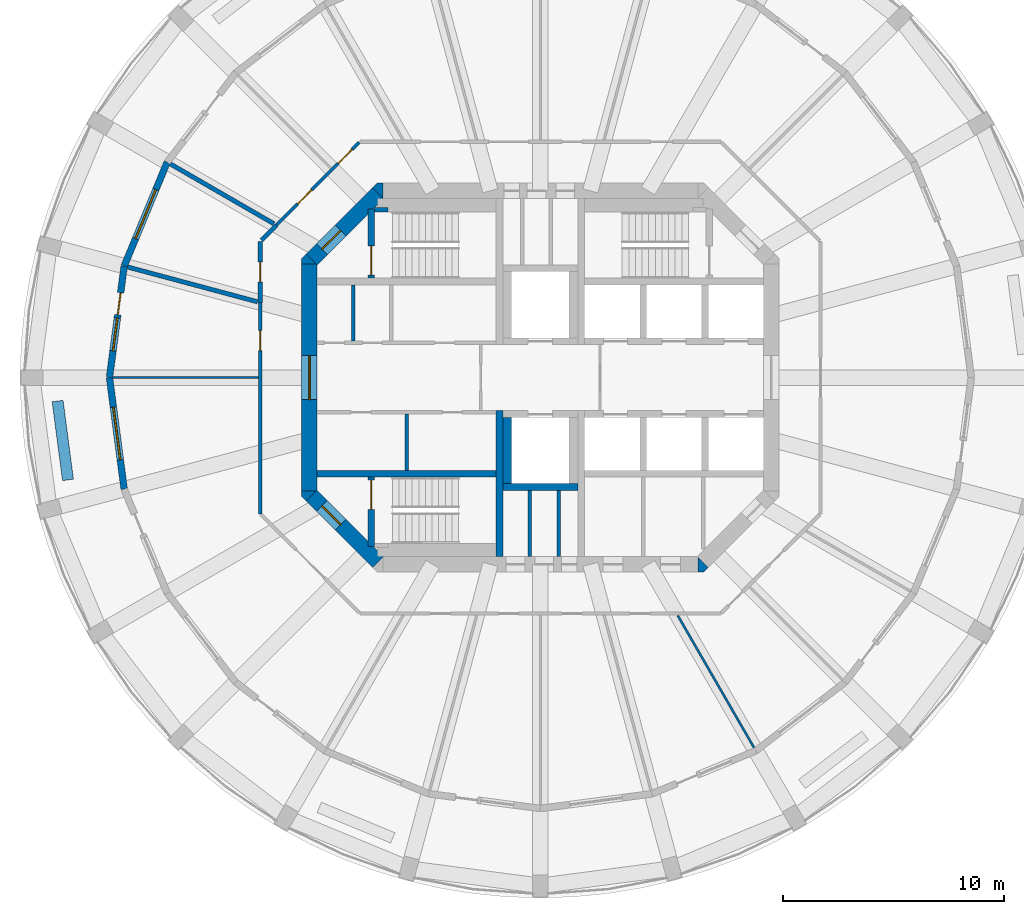
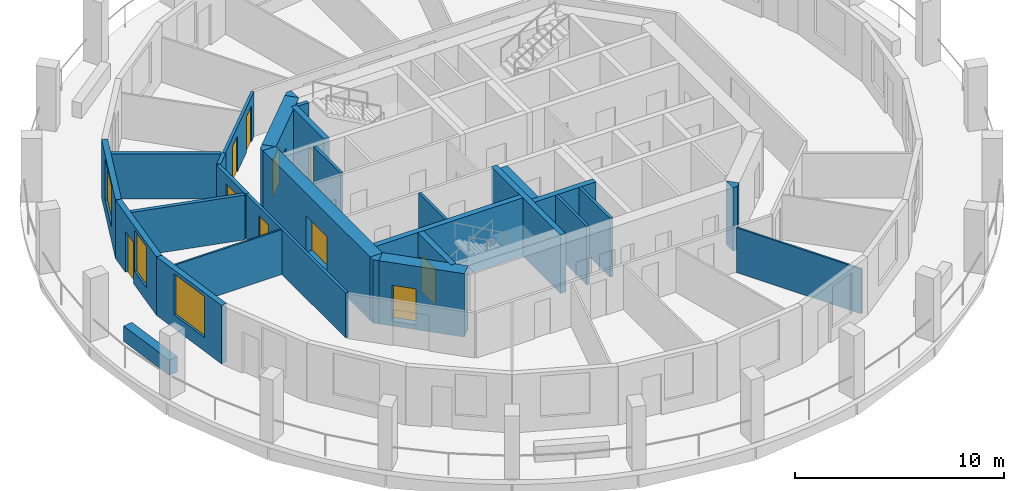
# One storey, part 3 of 8: 30 walls, 10 doors, 3 windows, 13 openings.
"""IFC4 building model written with IfcOpenShell, lengths in metres."""

from ifc_helpers import new_model, si_unit, direction, frame, frame_2d, origin, place, context, subcontext, project, spatial, polyline, rectangle, outline, extrude, material, layer, layer_set, type_object, element, fill, save


model = new_model("IFC4")

# Units and contexts
model_context = context("Model", 3, precision=1e-05, world=origin(), true_north=direction((0.0, 1.0)))
body_context = subcontext(model_context, "Body", "Model", "MODEL_VIEW")
ifc_project = project(units=[si_unit("LENGTHUNIT", "METRE"), si_unit("AREAUNIT", "SQUARE_METRE"), si_unit("VOLUMEUNIT", "CUBIC_METRE"), si_unit("PLANEANGLEUNIT", "RADIAN"), si_unit("MASSUNIT", "GRAM", prefix="KILO")], contexts=[model_context])

# Site, building, storey
site_placement = place(None, origin())
site = spatial("IfcSite", under=ifc_project, at=site_placement, CompositionType="ELEMENT")
building_placement = place(site_placement, origin())
building = spatial("IfcBuilding", under=site, at=building_placement, Name="Torre Triforio", CompositionType="ELEMENT")
storey_placement = place(building_placement, frame((0.0, 0.0, 203.89990234375)))
storey = spatial("IfcBuildingStorey", under=building, at=storey_placement, Name="L46", CompositionType="ELEMENT", Elevation=203.89990234375)

# Wall
ifc_material_1 = material(Name="Concrete C50", Category="concrete")
ifc_layer_1 = layer(ifc_material_1, 0.300048828125)
ifc_layer_set_1 = layer_set([ifc_layer_1], Name="Concrete C50")
wall_type_1 = type_object("IfcWallType", Name="Core wall 300 mm C50 EI 120", PredefinedType="SHEAR", material=ifc_layer_set_1)
wall_1_placement = place(storey_placement, frame((-1.85009765625, -8.10009765625, 0.0), z_axis=(0.0, 0.0, 1.0), x_axis=(0.0, 1.0, 0.0)))
element("IfcWall", 1, at=wall_1_placement, inside=storey, type_object=wall_type_1, Name="Core wall", PredefinedType="SHEAR", context=body_context, shape_type="SweptSolid", body=[
    extrude(rectangle(XDim=6.60009765625, YDim=0.300048828125, at=frame_2d((3.300048828125, 0.0))), origin(), (0.0, 0.0, 1.0), 3.420166015625),
])

# Wall, opening, door
ifc_layer_2 = layer(ifc_material_1, 0.699951171875)
ifc_layer_set_2 = layer_set([ifc_layer_2], Name="Concrete C50")
wall_type_2 = type_object("IfcWallType", Name="Core wall 700 mm C50 EI 120", PredefinedType="SHEAR", material=ifc_layer_set_2)
wall_2_placement = place(storey_placement, frame((-10.449951171875, -5.1298828125, -0.27978515625), z_axis=(0.0, 0.0, 1.0), x_axis=(0.0, 1.0, 0.0)))
wall_2 = element("IfcWall", 2, at=wall_2_placement, inside=storey, type_object=wall_type_2, Name="Core wall", PredefinedType="SHEAR", context=body_context, shape_type="SweptSolid", body=[
    extrude(rectangle(XDim=10.259765625, YDim=0.699951171875, at=frame_2d((5.1298828125, 0.0))), origin(), (0.0, 0.0, 1.0), 3.699951171875),
])
opening_1_placement = place(wall_2_placement, frame((4.1298828125, 0.0, 0.280029296875)))
opening_1 = element("IfcOpeningElement", 3, at=opening_1_placement, cuts=wall_2, Name="Opening W-RING", PredefinedType="OPENING", context=body_context, shape_type="SweptSolid", body=[
    extrude(rectangle(XDim=2.0, YDim=2.10009765625, at=frame_2d((1.0, 1.050048828125))), frame((0.0, 0.35986328125, 0.0), z_axis=(0.0, -1.0, 0.0), x_axis=(1.0, 0.0, 0.0)), (0.0, 0.0, 1.0), 0.719970703125),
])
ifc_material_2 = material(Name="Hollow metal fire door leaf")
door_type_1 = type_object("IfcDoorType", Name="Lobby door 2000 x 2100 EI 60", OperationType="DOUBLE_DOOR_SINGLE_SWING", PredefinedType="DOOR", material=ifc_material_2)
door_1_placement = place(opening_1_placement, origin())
door_1 = element("IfcDoor", 4, at=door_1_placement, inside=storey, type_object=door_type_1, Name="Core door W-RING", OperationType="DOUBLE_DOOR_SINGLE_SWING", OverallHeight=2.10009765625, OverallWidth=2.0, PredefinedType="DOOR", context=body_context, shape_type="SweptSolid", body=[
    extrude(rectangle(XDim=2.0, YDim=2.10009765625, at=frame_2d((1.0, 1.050048828125))), frame((0.0, 0.02490234375, 0.0), z_axis=(0.0, -1.0, 0.0), x_axis=(1.0, 0.0, 0.0)), (0.0, 0.0, 1.0), 0.050048828125),
])
fill(opening_1, door_1)

wall_3_placement = place(storey_placement, frame((-10.347412109375, 5.347412109375, -0.27978515625), z_axis=(0.0, 0.0, 1.0), x_axis=(0.707106781187, 0.707106781187, 0.0)))
wall_3 = element("IfcWall", 5, at=wall_3_placement, inside=storey, type_object=wall_type_2, Name="Core wall", PredefinedType="SHEAR", context=body_context, shape_type="SweptSolid", body=[
    extrude(rectangle(XDim=4.24267578125, YDim=0.699951171875, at=frame_2d((2.121337890625, 0.0))), origin(), (0.0, 0.0, 1.0), 3.699951171875),
])
opening_2_placement = place(wall_3_placement, frame((0.64990234375, 0.0, 0.280029296875)))
opening_2 = element("IfcOpeningElement", 6, at=opening_2_placement, cuts=wall_3, Name="Opening ST1-EXIT", PredefinedType="OPENING", context=body_context, shape_type="SweptSolid", body=[
    extrude(rectangle(XDim=1.199951171875, YDim=2.10009765625, at=frame_2d((0.60009765625, 1.050048828125))), frame((0.0, 0.35986328125, 0.0), z_axis=(0.0, -1.0, 0.0), x_axis=(1.0, 0.0, 0.0)), (0.0, 0.0, 1.0), 0.719970703125),
])
door_type_2 = type_object("IfcDoorType", Name="Stair lobby door 1200 x 2100 EI 60", OperationType="NOTDEFINED", PredefinedType="DOOR", material=ifc_material_2)
door_2_placement = place(opening_2_placement, origin())
door_2 = element("IfcDoor", 7, at=door_2_placement, inside=storey, type_object=door_type_2, Name="Core door ST1-EXIT", OperationType="SINGLE_SWING_RIGHT", OverallHeight=2.10009765625, OverallWidth=1.199951171875, PredefinedType="DOOR", context=body_context, shape_type="SweptSolid", body=[
    extrude(rectangle(XDim=1.199951171875, YDim=2.10009765625, at=frame_2d((0.60009765625, 1.050048828125))), frame((0.0, 0.02490234375, 0.0), z_axis=(0.0, -1.0, 0.0), x_axis=(1.0, 0.0, 0.0)), (0.0, 0.0, 1.0), 0.050048828125),
])
fill(opening_2, door_2)

wall_4_placement = place(storey_placement, frame((-7.347412109375, -8.347412109375, -0.27978515625), z_axis=(0.0, 0.0, 1.0), x_axis=(-0.707106781187, 0.707106781187, 0.0)))
wall_4 = element("IfcWall", 8, at=wall_4_placement, inside=storey, type_object=wall_type_2, Name="Core wall", PredefinedType="SHEAR", context=body_context, shape_type="SweptSolid", body=[
    extrude(rectangle(XDim=4.24267578125, YDim=0.699951171875, at=frame_2d((2.121337890625, 0.0))), origin(), (0.0, 0.0, 1.0), 3.699951171875),
])
opening_3_placement = place(wall_4_placement, frame((2.392578125, 0.0, 0.280029296875)))
opening_3 = element("IfcOpeningElement", 9, at=opening_3_placement, cuts=wall_4, Name="Opening ST3-EXIT", PredefinedType="OPENING", context=body_context, shape_type="SweptSolid", body=[
    extrude(rectangle(XDim=1.199951171875, YDim=2.10009765625, at=frame_2d((0.60009765625, 1.050048828125))), frame((0.0, 0.35986328125, 0.0), z_axis=(0.0, -1.0, 0.0), x_axis=(1.0, 0.0, 0.0)), (0.0, 0.0, 1.0), 0.719970703125),
])
door_3_placement = place(opening_3_placement, origin())
door_3 = element("IfcDoor", 10, at=door_3_placement, inside=storey, type_object=door_type_2, Name="Core door ST3-EXIT", OperationType="SINGLE_SWING_RIGHT", OverallHeight=2.10009765625, OverallWidth=1.199951171875, PredefinedType="DOOR", context=body_context, shape_type="SweptSolid", body=[
    extrude(rectangle(XDim=1.199951171875, YDim=2.10009765625, at=frame_2d((0.60009765625, 1.050048828125))), frame((0.0, 0.02490234375, 0.0), z_axis=(0.0, -1.0, 0.0), x_axis=(1.0, 0.0, 0.0)), (0.0, 0.0, 1.0), 0.050048828125),
])
fill(opening_3, door_3)

# Walls
wall_5_placement = place(storey_placement, frame((0.0, 0.0, -0.27978515625)))
element("IfcWall", 11, at=wall_5_placement, inside=storey, type_object=wall_type_2, Name="Core wall", PredefinedType="SHEAR", context=body_context, shape_type="SweptSolid", body=[
    extrude(outline(polyline([(7.389892578125, -8.800048828125), (7.1298828125, -8.800048828125), (7.1298828125, -8.800048828125), (7.1298828125, -8.1298828125), (7.594970703125, -8.594970703125), (7.594970703125, -8.594970703125), (7.594970703125, -8.594970703125), (7.389892578125, -8.800048828125)])), origin(), (0.0, 0.0, 1.0), 3.699951171875),
])
wall_6_placement = place(storey_placement, frame((0.0, 0.0, -0.27978515625)))
element("IfcWall", 12, at=wall_6_placement, inside=storey, type_object=wall_type_2, Name="Core wall", PredefinedType="SHEAR", context=body_context, shape_type="SweptSolid", body=[
    extrude(outline(polyline([(-10.800048828125, -5.389892578125), (-10.800048828125, -5.1298828125), (-10.800048828125, -5.1298828125), (-10.1298828125, -5.1298828125), (-10.594970703125, -5.594970703125), (-10.594970703125, -5.594970703125), (-10.594970703125, -5.594970703125), (-10.800048828125, -5.389892578125)])), origin(), (0.0, 0.0, 1.0), 3.699951171875),
])
wall_7_placement = place(storey_placement, frame((0.0, 0.0, -0.27978515625)))
element("IfcWall", 13, at=wall_7_placement, inside=storey, type_object=wall_type_2, Name="Core wall", PredefinedType="SHEAR", context=body_context, shape_type="SweptSolid", body=[
    extrude(outline(polyline([(-10.594970703125, 5.594970703125), (-10.594970703125, 5.594970703125), (-10.594970703125, 5.594970703125), (-10.1298828125, 5.1298828125), (-10.800048828125, 5.1298828125), (-10.800048828125, 5.1298828125), (-10.800048828125, 5.389892578125), (-10.594970703125, 5.594970703125)])), origin(), (0.0, 0.0, 1.0), 3.699951171875),
])
wall_8_placement = place(storey_placement, frame((0.0, 0.0, -0.27978515625)))
element("IfcWall", 14, at=wall_8_placement, inside=storey, type_object=wall_type_2, Name="Core wall", PredefinedType="SHEAR", context=body_context, shape_type="SweptSolid", body=[
    extrude(outline(polyline([(-7.389892578125, 8.800048828125), (-7.1298828125, 8.800048828125), (-7.1298828125, 8.800048828125), (-7.1298828125, 8.1298828125), (-7.594970703125, 8.594970703125), (-7.594970703125, 8.594970703125), (-7.594970703125, 8.594970703125), (-7.389892578125, 8.800048828125)])), origin(), (0.0, 0.0, 1.0), 3.699951171875),
])

# Wall, opening, door
ifc_material_3 = material(Name="Plasterboard on metal studs")
ifc_layer_3 = layer(ifc_material_3, 0.14990234375)
ifc_layer_set_3 = layer_set([ifc_layer_3], Name="Plasterboard on metal studs")
wall_type_3 = type_object("IfcWallType", Name="Corridor and tenancy wall 150 mm EI 60", PredefinedType="PARTITIONING", material=ifc_layer_set_3)
wall_9_placement = place(storey_placement, frame((-12.675048828125, -6.16650390625, 0.0), z_axis=(0.0, 0.0, 1.0), x_axis=(0.0, 1.0, 0.0)))
wall_9 = element("IfcWall", 15, at=wall_9_placement, inside=storey, type_object=wall_type_3, Name="Partition 4", PredefinedType="PARTITIONING", context=body_context, shape_type="SweptSolid", body=[
    extrude(rectangle(XDim=9.562744140625, YDim=0.14990234375, at=frame_2d((4.78125, 0.0))), origin(), (0.0, 0.0, 1.0), 2.6201171875),
])
opening_4_placement = place(wall_9_placement, frame((7.3896484375, 0.0, 0.0)))
opening_4 = element("IfcOpeningElement", 16, at=opening_4_placement, cuts=wall_9, Name="Opening O5-16", PredefinedType="OPENING", context=body_context, shape_type="SweptSolid", body=[
    extrude(rectangle(XDim=0.89990234375, YDim=2.10009765625, at=frame_2d((0.449951171875, 1.050048828125))), frame((0.0, 0.0849609375, 0.0), z_axis=(0.0, -1.0, 0.0), x_axis=(1.0, 0.0, 0.0)), (0.0, 0.0, 1.0), 0.169921875),
])
ifc_material_4 = material(Name="Timber", Category="wood")
door_type_3 = type_object("IfcDoorType", Name="Door 900 x 2100 single leaf EI 30", OperationType="NOTDEFINED", PredefinedType="DOOR", material=ifc_material_4)
door_4_placement = place(opening_4_placement, origin())
door_4 = element("IfcDoor", 17, at=door_4_placement, inside=storey, type_object=door_type_3, Name="Door O5-16", OperationType="SINGLE_SWING_LEFT", OverallHeight=2.10009765625, OverallWidth=0.89990234375, PredefinedType="DOOR", context=body_context, shape_type="SweptSolid", body=[
    extrude(rectangle(XDim=0.89990234375, YDim=2.10009765625, at=frame_2d((0.449951171875, 1.050048828125))), frame((0.0, 0.02490234375, 0.0), z_axis=(0.0, -1.0, 0.0), x_axis=(1.0, 0.0, 0.0)), (0.0, 0.0, 1.0), 0.050048828125),
])
fill(opening_4, door_4)

# Wall, openings, doors
wall_10_placement = place(storey_placement, frame((-11.945068359375, 6.896484375, 0.0), z_axis=(0.0, 0.0, 1.0), x_axis=(0.707106781187, 0.707106781187, 0.0)))
wall_10 = element("IfcWall", 18, at=wall_10_placement, inside=storey, type_object=wall_type_3, Name="Partition 7", PredefinedType="PARTITIONING", context=body_context, shape_type="SweptSolid", body=[
    extrude(rectangle(XDim=5.291259765625, YDim=0.14990234375, at=frame_2d((2.6455078125, 0.0))), origin(), (0.0, 0.0, 1.0), 2.6201171875),
])
opening_5_placement = place(wall_10_placement, frame((3.95556640625, 0.0, 0.0)))
opening_5 = element("IfcOpeningElement", 19, at=opening_5_placement, cuts=wall_10, Name="Opening O5-13", PredefinedType="OPENING", context=body_context, shape_type="SweptSolid", body=[
    extrude(rectangle(XDim=0.89990234375, YDim=2.10009765625, at=frame_2d((0.449951171875, 1.050048828125))), frame((0.0, 0.0849609375, 0.0), z_axis=(0.0, -1.0, 0.0), x_axis=(1.0, 0.0, 0.0)), (0.0, 0.0, 1.0), 0.169921875),
])
opening_6_placement = place(wall_10_placement, frame((1.35986328125, 0.0, 0.0)))
opening_6 = element("IfcOpeningElement", 20, at=opening_6_placement, cuts=wall_10, Name="Opening O5-14", PredefinedType="OPENING", context=body_context, shape_type="SweptSolid", body=[
    extrude(rectangle(XDim=0.89990234375, YDim=2.10009765625, at=frame_2d((0.449951171875, 1.050048828125))), frame((0.0, 0.0849609375, 0.0), z_axis=(0.0, -1.0, 0.0), x_axis=(1.0, 0.0, 0.0)), (0.0, 0.0, 1.0), 0.169921875),
])
door_5_placement = place(opening_5_placement, origin())
door_5 = element("IfcDoor", 21, at=door_5_placement, inside=storey, type_object=door_type_3, Name="Door O5-13", OperationType="SINGLE_SWING_LEFT", OverallHeight=2.10009765625, OverallWidth=0.89990234375, PredefinedType="DOOR", context=body_context, shape_type="SweptSolid", body=[
    extrude(rectangle(XDim=0.89990234375, YDim=2.10009765625, at=frame_2d((0.449951171875, 1.050048828125))), frame((0.0, 0.02490234375, 0.0), z_axis=(0.0, -1.0, 0.0), x_axis=(1.0, 0.0, 0.0)), (0.0, 0.0, 1.0), 0.050048828125),
])
fill(opening_5, door_5)
door_6_placement = place(opening_6_placement, origin())
door_6 = element("IfcDoor", 22, at=door_6_placement, inside=storey, type_object=door_type_3, Name="Door O5-14", OperationType="SINGLE_SWING_RIGHT", OverallHeight=2.10009765625, OverallWidth=0.89990234375, PredefinedType="DOOR", context=body_context, shape_type="SweptSolid", body=[
    extrude(rectangle(XDim=0.89990234375, YDim=2.10009765625, at=frame_2d((0.449951171875, 1.050048828125))), frame((0.0, 0.02490234375, 0.0), z_axis=(0.0, -1.0, 0.0), x_axis=(1.0, 0.0, 0.0)), (0.0, 0.0, 1.0), 0.050048828125),
])
fill(opening_6, door_6)

# Walls
ifc_layer_4 = layer(ifc_material_3, 0.10009765625)
ifc_layer_set_4 = layer_set([ifc_layer_4], Name="Plasterboard on metal studs")
wall_type_4 = type_object("IfcWallType", Name="Partition 100 mm board on metal studs", PredefinedType="PARTITIONING", material=ifc_layer_set_4)
wall_11_placement = place(storey_placement, frame((-12.75, 0.0, 0.0), z_axis=(0.0, 0.0, 1.0), x_axis=(-1.0, 0.0, 0.0)))
element("IfcWall", 23, at=wall_11_placement, inside=storey, type_object=wall_type_4, Name="Partition 19", PredefinedType="PARTITIONING", context=body_context, shape_type="SweptSolid", body=[
    extrude(rectangle(XDim=6.586669921875, YDim=0.10009765625, at=frame_2d((3.29345703125, 0.0))), origin(), (0.0, 0.0, 1.0), 2.6201171875),
])
wall_12_placement = place(storey_placement, frame((6.220703125, -10.774658203125, 0.0), z_axis=(0.0, 0.0, 1.0), x_axis=(0.500015661236, -0.866016361577, 0.0)))
element("IfcWall", 24, at=wall_12_placement, inside=storey, type_object=wall_type_4, Name="Partition 24", PredefinedType="PARTITIONING", context=body_context, shape_type="SweptSolid", body=[
    extrude(rectangle(XDim=6.895263671875, YDim=0.10009765625, at=frame_2d((3.44775390625, 0.0))), origin(), (0.0, 0.0, 1.0), 2.6201171875),
])
ifc_material_5 = material(Name="Block and board partition")
ifc_layer_5 = layer(ifc_material_5, 0.14990234375)
ifc_layer_set_5 = layer_set([ifc_layer_5], Name="Block and board partition")
wall_type_5 = type_object("IfcWallType", Name="Partition 150 mm", PredefinedType="PARTITIONING", material=ifc_layer_set_5)
wall_13_placement = place(storey_placement, frame((-0.47509765625, -8.10009765625, 0.0), z_axis=(0.0, 0.0, 1.0), x_axis=(0.0, 1.0, 0.0)))
element("IfcWall", 25, at=wall_13_placement, inside=storey, type_object=wall_type_5, Name="Partition", PredefinedType="PARTITIONING", context=body_context, shape_type="SweptSolid", body=[
    extrude(rectangle(XDim=3.0, YDim=0.14990234375, at=frame_2d((1.5, 0.0))), origin(), (0.0, 0.0, 1.0), 3.420166015625),
])
for number, where, z_axis, x_axis, name in (
    (26, (-8.465087890625, 1.64990234375, 0.0), (0.0, 0.0, 1.0), (0.0, 1.0, 0.0), "Partition"),
    (27, (-6.050048828125, -4.199951171875, 0.0), (0.0, 0.0, 1.0), (0.0, 1.0, 0.0), "Partition"),
):
    element("IfcWall", number, at=place(storey_placement, frame(where, z_axis=z_axis, x_axis=x_axis)), inside=storey, type_object=wall_type_5, Name=name, PredefinedType="PARTITIONING", context=body_context, shape_type="SweptSolid", body=[
        extrude(rectangle(XDim=2.550048828125, YDim=0.14990234375, at=frame_2d((1.27490234375, 0.0))), origin(), (0.0, 0.0, 1.0), 3.420166015625),
    ])
ifc_layer_6 = layer(ifc_material_5, 0.14990234375)
ifc_layer_set_6 = layer_set([ifc_layer_6], Name="Block and board partition")
wall_type_6 = type_object("IfcWallType", Name="Partition 150 mm EI 120", PredefinedType="PARTITIONING", material=ifc_layer_set_6)
wall_14_placement = place(storey_placement, frame((0.824951171875, -8.10009765625, 0.0), z_axis=(0.0, 0.0, 1.0), x_axis=(0.0, 1.0, 0.0)))
element("IfcWall", 28, at=wall_14_placement, inside=storey, type_object=wall_type_6, Name="Partition", PredefinedType="PARTITIONING", context=body_context, shape_type="SweptSolid", body=[
    extrude(rectangle(XDim=3.0, YDim=0.14990234375, at=frame_2d((1.5, 0.0))), origin(), (0.0, 0.0, 1.0), 3.420166015625),
])

# Wall, opening, door
ifc_material_6 = material(Name="Masonry block", Category="masonry")
ifc_layer_7 = layer(ifc_material_6, 0.199951171875)
ifc_layer_set_7 = layer_set([ifc_layer_7], Name="Masonry block")
wall_type_7 = type_object("IfcWallType", Name="Plant room wall 200 mm block EI 120", PredefinedType="PARTITIONING", material=ifc_layer_set_7)
wall_15_placement = place(storey_placement, frame((-12.675048828125, 3.396240234375, 0.0), z_axis=(0.0, 0.0, 1.0), x_axis=(0.0, 1.0, 0.0)))
wall_15 = element("IfcWall", 29, at=wall_15_placement, inside=storey, type_object=wall_type_7, Name="Partition 5", PredefinedType="PARTITIONING", context=body_context, shape_type="SweptSolid", body=[
    extrude(rectangle(XDim=2.770263671875, YDim=0.199951171875, at=frame_2d((1.38525390625, 0.0))), origin(), (0.0, 0.0, 1.0), 2.6201171875),
])
opening_7_placement = place(wall_15_placement, frame((0.935302734375, 0.0, 0.0)))
opening_7 = element("IfcOpeningElement", 30, at=opening_7_placement, cuts=wall_15, Name="Opening O5-15", PredefinedType="OPENING", context=body_context, shape_type="SweptSolid", body=[
    extrude(rectangle(XDim=0.89990234375, YDim=2.10009765625, at=frame_2d((0.449951171875, 1.050048828125))), frame((0.0, 0.10986328125, 0.0), z_axis=(0.0, -1.0, 0.0), x_axis=(1.0, 0.0, 0.0)), (0.0, 0.0, 1.0), 0.219970703125),
])
door_type_4 = type_object("IfcDoorType", Name="Door 900 x 2100 single leaf EI 60", OperationType="NOTDEFINED", PredefinedType="DOOR", material=ifc_material_2)
door_7_placement = place(opening_7_placement, origin())
door_7 = element("IfcDoor", 31, at=door_7_placement, inside=storey, type_object=door_type_4, Name="Door O5-15", OperationType="SINGLE_SWING_LEFT", OverallHeight=2.10009765625, OverallWidth=0.89990234375, PredefinedType="DOOR", context=body_context, shape_type="SweptSolid", body=[
    extrude(rectangle(XDim=0.89990234375, YDim=2.10009765625, at=frame_2d((0.449951171875, 1.050048828125))), frame((0.0, 0.02490234375, 0.0), z_axis=(0.0, -1.0, 0.0), x_axis=(1.0, 0.0, 0.0)), (0.0, 0.0, 1.0), 0.050048828125),
])
fill(opening_7, door_7)

# Walls
wall_16_placement = place(storey_placement, frame((-12.62548828125, 6.216064453125, 0.0), z_axis=(0.0, 0.0, 1.0), x_axis=(0.707106781187, 0.707106781187, 0.0)))
element("IfcWall", 32, at=wall_16_placement, inside=storey, type_object=wall_type_7, Name="Partition 6", PredefinedType="PARTITIONING", context=body_context, shape_type="SweptSolid", body=[
    extrude(rectangle(XDim=0.962158203125, YDim=0.199951171875, at=frame_2d((0.48095703125, 0.0))), origin(), (0.0, 0.0, 1.0), 2.6201171875),
])
wall_17_placement = place(storey_placement, frame((-12.0576171875, 6.96142578125, 0.0), z_axis=(0.0, 0.0, 1.0), x_axis=(-0.86601436245, 0.500019123664, 0.0)))
element("IfcWall", 33, at=wall_17_placement, inside=storey, type_object=wall_type_7, Name="Partition 17", PredefinedType="PARTITIONING", context=body_context, shape_type="SweptSolid", body=[
    extrude(rectangle(XDim=5.413818359375, YDim=0.199951171875, at=frame_2d((2.70703125, 0.0))), origin(), (0.0, 0.0, 1.0), 2.6201171875),
])
wall_18_placement = place(storey_placement, frame((-12.800537109375, 3.429931640625, 0.0), z_axis=(0.0, 0.0, 1.0), x_axis=(-0.965929245953, 0.258806282407, 0.0)))
element("IfcWall", 34, at=wall_18_placement, inside=storey, type_object=wall_type_7, Name="Partition 18", PredefinedType="PARTITIONING", context=body_context, shape_type="SweptSolid", body=[
    extrude(rectangle(XDim=6.08447265625, YDim=0.199951171875, at=frame_2d((3.042236328125, 0.0))), origin(), (0.0, 0.0, 1.0), 2.6201171875),
])
ifc_material_7 = material(Name="Limestone cladding", Category="masonry")
ifc_layer_8 = layer(ifc_material_7, 0.10009765625)
ifc_material_8 = material(Name="Concrete C40", Category="concrete")
ifc_layer_9 = layer(ifc_material_8, 0.39990234375)
ifc_layer_set_8 = layer_set([ifc_layer_8, ifc_layer_9], Name="Limestone cladding / Concrete C40")
wall_type_8 = type_object("IfcWallType", Name="Planter wall 500", PredefinedType="PARAPET", material=ifc_layer_set_8)
wall_19_placement = place(storey_placement, frame((-21.848388671875, -1.060791015625, 0.0), z_axis=(0.0, 0.0, 1.0), x_axis=(0.130475563272, -0.991451525486, 0.0)))
element("IfcWall", 35, at=wall_19_placement, inside=storey, type_object=wall_type_8, Name="Planter L46 bay 13", PredefinedType="PARAPET", context=body_context, shape_type="SweptSolid", body=[
    extrude(rectangle(XDim=3.60009765625, YDim=0.5, at=frame_2d((1.800048828125, 0.0))), origin(), (0.0, 0.0, 1.0), 0.900146484375),
])
ifc_layer_10 = layer(ifc_material_1, 0.300048828125)
ifc_layer_set_9 = layer_set([ifc_layer_10], Name="Concrete C50")
wall_type_9 = type_object("IfcWallType", Name="Shaft wall 300 mm C50 EI 120", PredefinedType="SOLIDWALL", material=ifc_layer_set_9)
wall_20_placement = place(storey_placement, frame((-10.10009765625, -4.35009765625, 0.0), z_axis=(0.0, 0.0, 1.0), x_axis=(1.0, 0.0, 0.0)))
element("IfcWall", 36, at=wall_20_placement, inside=storey, type_object=wall_type_9, Name="Shaft wall", PredefinedType="SOLIDWALL", context=body_context, shape_type="SweptSolid", body=[
    extrude(rectangle(XDim=8.10009765625, YDim=0.300048828125, at=frame_2d((4.050048828125, 0.0))), origin(), (0.0, 0.0, 1.0), 3.420166015625),
])
wall_21_placement = place(storey_placement, frame((-1.699951171875, -4.949951171875, 0.0), z_axis=(0.0, 0.0, 1.0), x_axis=(1.0, 0.0, 0.0)))
element("IfcWall", 37, at=wall_21_placement, inside=storey, type_object=wall_type_9, Name="Shaft wall", PredefinedType="SOLIDWALL", context=body_context, shape_type="SweptSolid", body=[
    extrude(rectangle(XDim=3.39990234375, YDim=0.300048828125, at=frame_2d((1.699951171875, 0.0))), origin(), (0.0, 0.0, 1.0), 3.420166015625),
])
ifc_layer_11 = layer(ifc_material_1, 0.39990234375)
ifc_layer_set_10 = layer_set([ifc_layer_11], Name="Concrete C50")
wall_type_10 = type_object("IfcWallType", Name="Shaft wall 400 mm C50 EI 120", PredefinedType="SOLIDWALL", material=ifc_layer_set_10)
wall_22_placement = place(storey_placement, frame((-1.5, -4.800048828125, 0.0), z_axis=(0.0, 0.0, 1.0), x_axis=(0.0, 1.0, 0.0)))
element("IfcWall", 38, at=wall_22_placement, inside=storey, type_object=wall_type_10, Name="Shaft wall", PredefinedType="SOLIDWALL", context=body_context, shape_type="SweptSolid", body=[
    extrude(rectangle(XDim=3.0, YDim=0.39990234375, at=frame_2d((1.5, 0.0))), origin(), (0.0, 0.0, 1.0), 3.420166015625),
])
ifc_layer_12 = layer(ifc_material_1, 0.199951171875)
ifc_layer_set_11 = layer_set([ifc_layer_12], Name="Concrete C50")
wall_type_11 = type_object("IfcWallType", Name="Stair wall 200 mm C50 EI 120", PredefinedType="SHEAR", material=ifc_layer_set_11)
wall_23_placement = place(storey_placement, frame((-7.5, 7.60009765625, 0.0), z_axis=(0.0, 0.0, 1.0), x_axis=(1.0, 0.0, 0.0)))
element("IfcWall", 39, at=wall_23_placement, inside=storey, type_object=wall_type_11, Name="Stair wall", PredefinedType="SHEAR", context=body_context, shape_type="SweptSolid", body=[
    extrude(rectangle(XDim=0.60009765625, YDim=0.199951171875, at=frame_2d((0.300048828125, 0.0))), origin(), (0.0, 0.0, 1.0), 3.420166015625),
])

# Wall, opening, door
ifc_layer_13 = layer(ifc_material_1, 0.300048828125)
ifc_layer_set_12 = layer_set([ifc_layer_13], Name="Concrete C50")
wall_type_12 = type_object("IfcWallType", Name="Stair wall 300 mm C50 EI 120", PredefinedType="SHEAR", material=ifc_layer_set_12)
wall_24_placement = place(storey_placement, frame((-7.64990234375, 4.5, 0.0), z_axis=(0.0, 0.0, 1.0), x_axis=(0.0, 1.0, 0.0)))
wall_24 = element("IfcWall", 40, at=wall_24_placement, inside=storey, type_object=wall_type_12, Name="Stair wall", PredefinedType="SHEAR", context=body_context, shape_type="SweptSolid", body=[
    extrude(rectangle(XDim=3.139892578125, YDim=0.300048828125, at=frame_2d((1.56982421875, 0.0))), origin(), (0.0, 0.0, 1.0), 3.420166015625),
])
opening_8_placement = place(wall_24_placement, frame((0.139892578125, 0.0, 0.0)))
opening_8 = element("IfcOpeningElement", 41, at=opening_8_placement, cuts=wall_24, Name="Opening ST1-STA", PredefinedType="OPENING", context=body_context, shape_type="SweptSolid", body=[
    extrude(rectangle(XDim=1.320068359375, YDim=2.10009765625, at=frame_2d((0.66015625, 1.050048828125))), frame((0.0, 0.159912109375, 0.0), z_axis=(0.0, -1.0, 0.0), x_axis=(1.0, 0.0, 0.0)), (0.0, 0.0, 1.0), 0.320068359375),
])
door_type_5 = type_object("IfcDoorType", Name="Stair door 1320 x 2100 EI 90", OperationType="DOUBLE_DOOR_SINGLE_SWING", PredefinedType="DOOR", material=ifc_material_2)
door_8_placement = place(opening_8_placement, origin())
door_8 = element("IfcDoor", 42, at=door_8_placement, inside=storey, type_object=door_type_5, Name="Core door ST1-ST", OperationType="DOUBLE_DOOR_SINGLE_SWING", OverallHeight=2.10009765625, OverallWidth=1.320068359375, PredefinedType="DOOR", context=body_context, shape_type="SweptSolid", body=[
    extrude(rectangle(XDim=1.320068359375, YDim=2.10009765625, at=frame_2d((0.66015625, 1.050048828125))), frame((0.0, 0.02490234375, 0.0), z_axis=(0.0, -1.0, 0.0), x_axis=(1.0, 0.0, 0.0)), (0.0, 0.0, 1.0), 0.050048828125),
])
fill(opening_8, door_8)

wall_25_placement = place(storey_placement, frame((-7.64990234375, -7.639892578125, 0.0), z_axis=(0.0, 0.0, 1.0), x_axis=(0.0, 1.0, 0.0)))
wall_25 = element("IfcWall", 43, at=wall_25_placement, inside=storey, type_object=wall_type_12, Name="Stair wall", PredefinedType="SHEAR", context=body_context, shape_type="SweptSolid", body=[
    extrude(rectangle(XDim=3.139892578125, YDim=0.300048828125, at=frame_2d((1.56982421875, 0.0))), origin(), (0.0, 0.0, 1.0), 3.420166015625),
])
opening_9_placement = place(wall_25_placement, frame((1.679931640625, 0.0, 0.0)))
opening_9 = element("IfcOpeningElement", 44, at=opening_9_placement, cuts=wall_25, Name="Opening ST3-STA", PredefinedType="OPENING", context=body_context, shape_type="SweptSolid", body=[
    extrude(rectangle(XDim=1.320068359375, YDim=2.10009765625, at=frame_2d((0.66015625, 1.050048828125))), frame((0.0, 0.159912109375, 0.0), z_axis=(0.0, -1.0, 0.0), x_axis=(1.0, 0.0, 0.0)), (0.0, 0.0, 1.0), 0.320068359375),
])
door_9_placement = place(opening_9_placement, origin())
door_9 = element("IfcDoor", 45, at=door_9_placement, inside=storey, type_object=door_type_5, Name="Core door ST3-ST", OperationType="DOUBLE_DOOR_SINGLE_SWING", OverallHeight=2.10009765625, OverallWidth=1.320068359375, PredefinedType="DOOR", context=body_context, shape_type="SweptSolid", body=[
    extrude(rectangle(XDim=1.320068359375, YDim=2.10009765625, at=frame_2d((0.66015625, 1.050048828125))), frame((0.0, 0.02490234375, 0.0), z_axis=(0.0, -1.0, 0.0), x_axis=(1.0, 0.0, 0.0)), (0.0, 0.0, 1.0), 0.050048828125),
])
fill(opening_9, door_9)

# Wall, opening, window
ifc_layer_14 = layer(ifc_material_7, 0.10009765625)
ifc_layer_15 = layer(ifc_material_8, 0.199951171875)
ifc_layer_set_13 = layer_set([ifc_layer_14, ifc_layer_15], Name="Limestone cladding / Concrete C40")
wall_type_13 = type_object("IfcWallType", Name="Stone-faced composite wall 300", PredefinedType="STANDARD", material=ifc_layer_set_13)
wall_26_placement = place(storey_placement, frame((-16.887451171875, 9.75, 0.0), z_axis=(0.0, 0.0, 1.0), x_axis=(-0.382724538613, -0.923862504675, 0.0)))
wall_26 = element("IfcWall", 46, at=wall_26_placement, inside=storey, type_object=wall_type_13, Name="External wall L46 bay 11", PredefinedType="STANDARD", context=body_context, shape_type="SweptSolid", body=[
    extrude(rectangle(XDim=5.090576171875, YDim=0.300048828125, at=frame_2d((2.54541015625, 0.0))), origin(), (0.0, 0.0, 1.0), 3.420166015625),
])
opening_10_placement = place(wall_26_placement, frame((1.34521484375, 0.0, 0.800048828125)))
opening_10 = element("IfcOpeningElement", 47, at=opening_10_placement, cuts=wall_26, Name="Opening O5-W11", PredefinedType="OPENING", context=body_context, shape_type="SweptSolid", body=[
    extrude(rectangle(XDim=2.39990234375, YDim=2.39990234375, at=frame_2d((1.199951171875, 1.199951171875))), frame((0.0, 0.159912109375, 0.0), z_axis=(0.0, -1.0, 0.0), x_axis=(1.0, 0.0, 0.0)), (0.0, 0.0, 1.0), 0.320068359375),
])
ifc_material_9 = material(Name="Aluminium frame with clear double glazing", Category="aluminium")
window_type_1 = type_object("IfcWindowType", Name="Punched window 2400 x 2400", PartitioningType="DOUBLE_PANEL_VERTICAL", PredefinedType="WINDOW", material=ifc_material_9)
window_1_placement = place(opening_10_placement, origin())
window_1 = element("IfcWindow", 48, at=window_1_placement, inside=storey, type_object=window_type_1, Name="Window EWN4 L46 bay 11", OverallHeight=2.39990234375, OverallWidth=2.39990234375, PartitioningType="SINGLE_PANEL", PredefinedType="WINDOW", context=body_context, shape_type="SweptSolid", body=[
    extrude(rectangle(XDim=2.39990234375, YDim=2.39990234375, at=frame_2d((1.199951171875, 1.199951171875))), frame((0.0, 0.030029296875, 0.0), z_axis=(0.0, -1.0, 0.0), x_axis=(1.0, 0.0, 0.0)), (0.0, 0.0, 1.0), 0.06005859375),
])
fill(opening_10, window_1)

# Wall, openings, door, window
wall_27_placement = place(storey_placement, frame((-18.835693359375, 5.047119140625, 0.0), z_axis=(0.0, 0.0, 1.0), x_axis=(-0.130495451964, -0.99144890792, 0.0)))
wall_27 = element("IfcWall", 49, at=wall_27_placement, inside=storey, type_object=wall_type_13, Name="External wall L46 bay 12", PredefinedType="STANDARD", context=body_context, shape_type="SweptSolid", body=[
    extrude(rectangle(XDim=5.090576171875, YDim=0.300048828125, at=frame_2d((2.54541015625, 0.0))), origin(), (0.0, 0.0, 1.0), 3.420166015625),
])
opening_11_placement = place(wall_27_placement, frame((1.22021484375, 0.0, 0.0)))
opening_11 = element("IfcOpeningElement", 50, at=opening_11_placement, cuts=wall_27, Name="Opening O5-D12", PredefinedType="OPENING", context=body_context, shape_type="SweptSolid", body=[
    extrude(rectangle(XDim=1.0, YDim=2.39990234375, at=frame_2d((0.5, 1.199951171875))), frame((0.0, 0.159912109375, 0.0), z_axis=(0.0, -1.0, 0.0), x_axis=(1.0, 0.0, 0.0)), (0.0, 0.0, 1.0), 0.320068359375),
])
opening_12_placement = place(wall_27_placement, frame((2.370361328125, 0.0, 0.800048828125)))
opening_12 = element("IfcOpeningElement", 51, at=opening_12_placement, cuts=wall_27, Name="Opening O5-W12A", PredefinedType="OPENING", context=body_context, shape_type="SweptSolid", body=[
    extrude(rectangle(XDim=1.5, YDim=2.39990234375, at=frame_2d((0.75, 1.199951171875))), frame((0.0, 0.159912109375, 0.0), z_axis=(0.0, -1.0, 0.0), x_axis=(1.0, 0.0, 0.0)), (0.0, 0.0, 1.0), 0.320068359375),
])
door_type_6 = type_object("IfcDoorType", Name="Loggia door 1000 x 2400", OperationType="NOTDEFINED", PredefinedType="DOOR", material=ifc_material_9)
door_10_placement = place(opening_11_placement, origin())
door_10 = element("IfcDoor", 52, at=door_10_placement, inside=storey, type_object=door_type_6, Name="Loggia door L46 bay 12", OperationType="SINGLE_SWING_LEFT", OverallHeight=2.39990234375, OverallWidth=1.0, PredefinedType="DOOR", context=body_context, shape_type="SweptSolid", body=[
    extrude(rectangle(XDim=1.0, YDim=2.39990234375, at=frame_2d((0.5, 1.199951171875))), frame((0.0, 0.02490234375, 0.0), z_axis=(0.0, -1.0, 0.0), x_axis=(1.0, 0.0, 0.0)), (0.0, 0.0, 1.0), 0.050048828125),
])
fill(opening_11, door_10)
window_type_2 = type_object("IfcWindowType", Name="Side window 1500 x 2400", PartitioningType="SINGLE_PANEL", PredefinedType="WINDOW", material=ifc_material_9)
window_2_placement = place(opening_12_placement, origin())
window_2 = element("IfcWindow", 53, at=window_2_placement, inside=storey, type_object=window_type_2, Name="Side window EWN14 L46 bay 12", OverallHeight=2.39990234375, OverallWidth=1.5, PartitioningType="SINGLE_PANEL", PredefinedType="WINDOW", context=body_context, shape_type="SweptSolid", body=[
    extrude(rectangle(XDim=1.5, YDim=2.39990234375, at=frame_2d((0.75, 1.199951171875))), frame((0.0, 0.030029296875, 0.0), z_axis=(0.0, -1.0, 0.0), x_axis=(1.0, 0.0, 0.0)), (0.0, 0.0, 1.0), 0.06005859375),
])
fill(opening_12, window_2)

# Wall, opening, window
wall_28_placement = place(storey_placement, frame((-19.5, 0.0, 0.0), z_axis=(0.0, 0.0, 1.0), x_axis=(0.130495451964, -0.99144890792, 0.0)))
wall_28 = element("IfcWall", 54, at=wall_28_placement, inside=storey, type_object=wall_type_13, Name="External wall L46 bay 13", PredefinedType="STANDARD", context=body_context, shape_type="SweptSolid", body=[
    extrude(rectangle(XDim=5.090576171875, YDim=0.300048828125, at=frame_2d((2.54541015625, 0.0))), origin(), (0.0, 0.0, 1.0), 3.420166015625),
])
opening_13_placement = place(wall_28_placement, frame((1.34521484375, 0.0, 0.800048828125)))
opening_13 = element("IfcOpeningElement", 55, at=opening_13_placement, cuts=wall_28, Name="Opening O5-W13", PredefinedType="OPENING", context=body_context, shape_type="SweptSolid", body=[
    extrude(rectangle(XDim=2.39990234375, YDim=2.39990234375, at=frame_2d((1.199951171875, 1.199951171875))), frame((0.0, 0.159912109375, 0.0), z_axis=(0.0, -1.0, 0.0), x_axis=(1.0, 0.0, 0.0)), (0.0, 0.0, 1.0), 0.320068359375),
])
window_3_placement = place(opening_13_placement, origin())
window_3 = element("IfcWindow", 56, at=window_3_placement, inside=storey, type_object=window_type_1, Name="Window EWN4 L46 bay 13", OverallHeight=2.39990234375, OverallWidth=2.39990234375, PartitioningType="SINGLE_PANEL", PredefinedType="WINDOW", context=body_context, shape_type="SweptSolid", body=[
    extrude(rectangle(XDim=2.39990234375, YDim=2.39990234375, at=frame_2d((1.199951171875, 1.199951171875))), frame((0.0, 0.030029296875, 0.0), z_axis=(0.0, -1.0, 0.0), x_axis=(1.0, 0.0, 0.0)), (0.0, 0.0, 1.0), 0.06005859375),
])
fill(opening_13, window_3)

save(model, "model.ifc")
